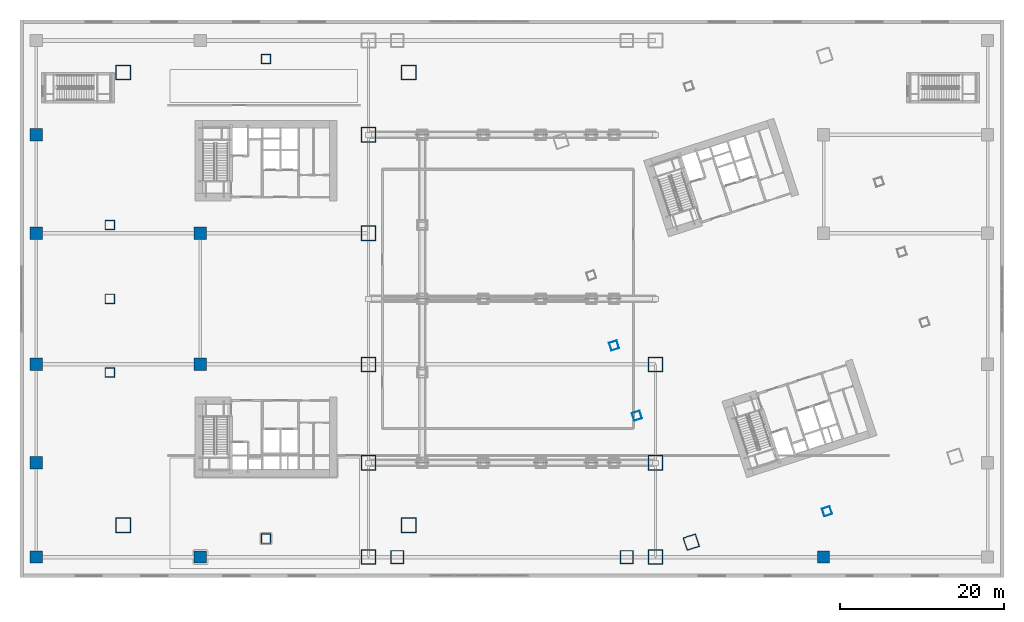
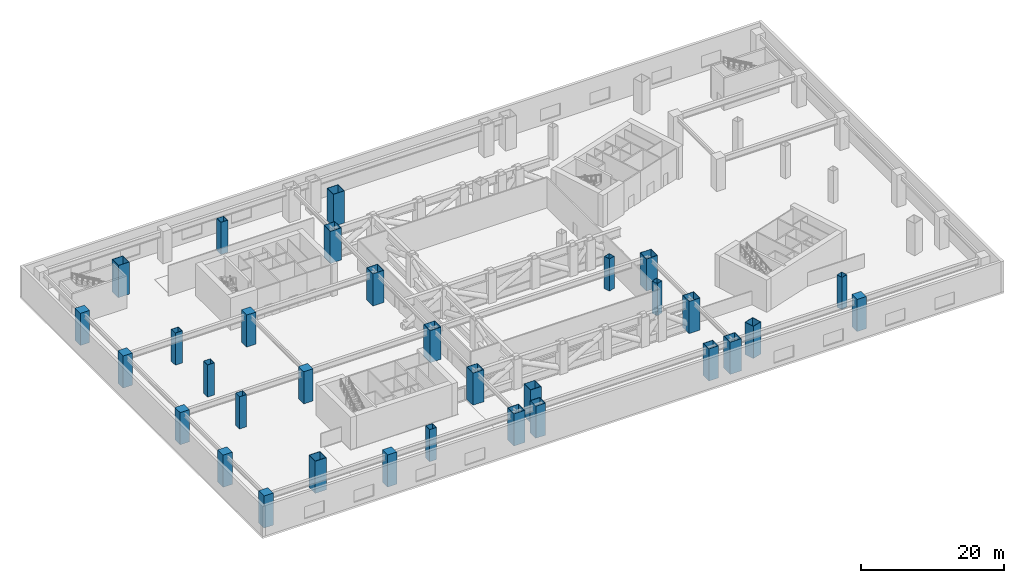
# One storey, part 1 of 34: 32 columns.
"""IFC4 building model written with IfcOpenShell, lengths in metres."""

from ifc_helpers import new_model, si_unit, direction, frame, origin, origin_2d, place, context, subcontext, project, spatial, rectangle, hollow_rectangle, extrude, material, material_profile, profile_set, type_object, element, save


model = new_model("IFC4")

# Units and contexts
model_context = context("Model", 3, precision=1e-05, world=origin(), true_north=direction((0.0, 1.0)))
body_context = subcontext(model_context, "Body", "Model", "MODEL_VIEW")
ifc_project = project(units=[si_unit("LENGTHUNIT", "METRE"), si_unit("AREAUNIT", "SQUARE_METRE"), si_unit("VOLUMEUNIT", "CUBIC_METRE"), si_unit("PLANEANGLEUNIT", "RADIAN"), si_unit("MASSUNIT", "GRAM", prefix="KILO")], contexts=[model_context])

# Site, building, storey
site_placement = place(None, origin())
site = spatial("IfcSite", under=ifc_project, at=site_placement, CompositionType="ELEMENT")
building_placement = place(site_placement, origin())
building = spatial("IfcBuilding", under=site, at=building_placement, Name="Qiaolan Cultural Towers", CompositionType="ELEMENT")
storey_placement = place(building_placement, frame((0.0, 0.0, 16.5)))
storey = spatial("IfcBuildingStorey", under=building, at=storey_placement, Name="L03", CompositionType="ELEMENT", Elevation=16.5)

# Columns
ifc_material_1 = material(Name="Steel Q355B", Category="steel")
ifc_material_profile_1 = material_profile(ifc_material_1, hollow_rectangle(XDim=1.0, YDim=1.0, WallThickness=0.035888671875, at=origin_2d()), Name="BOX1000x1000x36")
ifc_profile_set_1 = profile_set([ifc_material_profile_1], Name="Steel Q355B")
column_type_1 = type_object("IfcColumnType", Name="COL-BOX1000x1000x36", PredefinedType="COLUMN", material=ifc_profile_set_1)
for number, where, z_axis, x_axis, name in (
    (1, (75.234130859375, 19.739013671875, 0.0), (0.0, 0.0, 1.0), (0.951056516295, 0.309016994375, 0.0), "L03 T2 Column PC-W1"),
    (2, (72.453125, 28.298583984375, 0.0), (0.0, 0.0, 1.0), (0.951056516295, 0.309016994375, 0.0), "L03 T2 Column PC-W2"),
    (3, (98.420654296875, 8.083740234375, 0.0), (0.0, 0.0, 1.0), (0.951056516295, 0.309016994375, 0.0), "L03 T2 Column PC-S0"),
):
    element("IfcColumn", number, at=place(storey_placement, frame(where, z_axis=z_axis, x_axis=x_axis)), inside=storey, type_object=column_type_1, Name=name, PredefinedType="COLUMN", context=body_context, shape_type="SweptSolid", body=[
        extrude(hollow_rectangle(XDim=1.0, YDim=1.0, WallThickness=0.035888671875, at=origin_2d()), origin(), (0.0, 0.0, 1.0), 5.5009765625),
    ])
ifc_material_2 = material(Name="Steel Q390GJB", Category="steel")
ifc_material_profile_2 = material_profile(ifc_material_2, hollow_rectangle(XDim=1.14990234375, YDim=1.14990234375, WallThickness=0.0400390625, at=origin_2d()), Name="BOX1150x1150x40")
ifc_profile_set_2 = profile_set([ifc_material_profile_2], Name="Steel Q390GJB")
column_type_2 = type_object("IfcColumnType", Name="COL-BOX1150x1150x40", PredefinedType="COLUMN", material=ifc_profile_set_2)
for number, where, z_axis, x_axis, name in (
    (4, (10.949951171875, 25.0, 0.0), (0.0, 0.0, 1.0), (1.0, 0.0, 0.0), "L03 T1 Column PC-W1"),
    (5, (10.949951171875, 34.0, 0.0), (0.0, 0.0, 1.0), (1.0, 0.0, 0.0), "L03 T1 Column PC-W2"),
    (6, (10.949951171875, 43.0, 0.0), (0.0, 0.0, 1.0), (1.0, 0.0, 0.0), "L03 T1 Column PC-W3"),
    (7, (30.0, 4.75, 0.0), (0.0, 0.0, 1.0), (1.0, 0.0, 0.0), "L03 T1 Column PC-S0"),
    (8, (30.0, 63.25, 0.0), (0.0, 0.0, 1.0), (1.0, 0.0, 0.0), "L03 T1 Column PC-N0"),
):
    element("IfcColumn", number, at=place(storey_placement, frame(where, z_axis=z_axis, x_axis=x_axis)), inside=storey, type_object=column_type_2, Name=name, PredefinedType="COLUMN", context=body_context, shape_type="SweptSolid", body=[
        extrude(hollow_rectangle(XDim=1.14990234375, YDim=1.14990234375, WallThickness=0.0400390625, at=origin_2d()), origin(), (0.0, 0.0, 1.0), 5.5009765625),
    ])
ifc_material_3 = material(Name="Steel Q420GJB", Category="steel")
ifc_material_profile_3 = material_profile(ifc_material_3, hollow_rectangle(XDim=1.60009765625, YDim=1.60009765625, WallThickness=0.054931640625, at=origin_2d()), Name="BOX1600x1600x55")
ifc_profile_set_3 = profile_set([ifc_material_profile_3], Name="Steel Q420GJB")
column_type_3 = type_object("IfcColumnType", Name="COL-BOX1600x1600x55", PredefinedType="COLUMN", material=ifc_profile_set_3)
for number, where, z_axis, x_axis, name in (
    (9, (46.0, 2.5, 0.0), (0.0, 0.0, 1.0), (1.0, 0.0, 0.0), "L03 Podium Column PC-MID-46-2"),
    (10, (74.0, 2.5, 0.0), (0.0, 0.0, 1.0), (1.0, 0.0, 0.0), "L03 Podium Column PC-MID-74-2"),
    (11, (81.862548828125, 4.32275390625, 0.0), (0.0, 0.0, 1.0), (0.951056516295, 0.309016994375, 0.0), "L03 T2 Column MC-SW"),
):
    element("IfcColumn", number, at=place(storey_placement, frame(where, z_axis=z_axis, x_axis=x_axis)), inside=storey, type_object=column_type_3, Name=name, PredefinedType="COLUMN", context=body_context, shape_type="SweptSolid", body=[
        extrude(hollow_rectangle(XDim=1.60009765625, YDim=1.60009765625, WallThickness=0.054931640625, at=origin_2d()), origin(), (0.0, 0.0, 1.0), 5.5009765625),
    ])
ifc_material_4 = material(Name="Steel Q420GJB", Category="steel")
ifc_material_profile_4 = material_profile(ifc_material_4, hollow_rectangle(XDim=1.800048828125, YDim=1.800048828125, WallThickness=0.06005859375, at=origin_2d()), Name="BOX1800x1800x60")
ifc_profile_set_4 = profile_set([ifc_material_profile_4], Name="Steel Q420GJB")
column_type_4 = type_object("IfcColumnType", Name="COL-BOX1800x1800x60", PredefinedType="COLUMN", material=ifc_profile_set_4)
for number, where, z_axis, x_axis, name in (
    (12, (42.5, 2.5, 0.0), (0.0, 0.0, 1.0), (1.0, 0.0, 0.0), "L03 Podium Column PC-42-2"),
    (13, (42.5, 14.0, 0.0), (0.0, 0.0, 1.0), (1.0, 0.0, 0.0), "L03 Podium Column PC-42-14"),
    (14, (42.5, 26.0, 0.0), (0.0, 0.0, 1.0), (1.0, 0.0, 0.0), "L03 Podium Column PC-42-26"),
    (15, (42.5, 42.0, 0.0), (0.0, 0.0, 1.0), (1.0, 0.0, 0.0), "L03 Podium Column PC-42-42"),
    (16, (42.5, 54.0, 0.0), (0.0, 0.0, 1.0), (1.0, 0.0, 0.0), "L03 Podium Column PC-42-54"),
    (17, (77.5, 2.5, 0.0), (0.0, 0.0, 1.0), (1.0, 0.0, 0.0), "L03 Podium Column PC-77-2"),
    (18, (77.5, 14.0, 0.0), (0.0, 0.0, 1.0), (1.0, 0.0, 0.0), "L03 Podium Column PC-77-14"),
    (19, (77.5, 26.0, 0.0), (0.0, 0.0, 1.0), (1.0, 0.0, 0.0), "L03 Podium Column PC-77-26"),
    (20, (12.60009765625, 6.39990234375, 0.0), (0.0, 0.0, 1.0), (1.0, 0.0, 0.0), "L03 T1 Column MC-SW"),
    (21, (47.39990234375, 6.39990234375, 0.0), (0.0, 0.0, 1.0), (1.0, 0.0, 0.0), "L03 T1 Column MC-SE"),
    (22, (47.39990234375, 61.60009765625, 0.0), (0.0, 0.0, 1.0), (1.0, 0.0, 0.0), "L03 T1 Column MC-NE"),
    (23, (12.60009765625, 61.60009765625, 0.0), (0.0, 0.0, 1.0), (1.0, 0.0, 0.0), "L03 T1 Column MC-NW"),
):
    element("IfcColumn", number, at=place(storey_placement, frame(where, z_axis=z_axis, x_axis=x_axis)), inside=storey, type_object=column_type_4, Name=name, PredefinedType="COLUMN", context=body_context, shape_type="SweptSolid", body=[
        extrude(hollow_rectangle(XDim=1.800048828125, YDim=1.800048828125, WallThickness=0.06005859375, at=origin_2d()), origin(), (0.0, 0.0, 1.0), 5.5009765625),
    ])
ifc_material_5 = material(Name="Concrete C60", Category="concrete")
ifc_material_profile_5 = material_profile(ifc_material_5, rectangle(XDim=1.5, YDim=1.5, at=origin_2d()), Name="RC1500x1500")
ifc_profile_set_5 = profile_set([ifc_material_profile_5], Name="Concrete C60")
column_type_5 = type_object("IfcColumnType", Name="COL-RC1500x1500", PredefinedType="COLUMN", material=ifc_profile_set_5)
for number, where, z_axis, x_axis, name in (
    (24, (2.0, 2.5, 0.0), (0.0, 0.0, 1.0), (1.0, 0.0, 0.0), "L03 Podium Column PC-2-2"),
    (25, (2.0, 14.0, 0.0), (0.0, 0.0, 1.0), (1.0, 0.0, 0.0), "L03 Podium Column PC-2-14"),
    (26, (2.0, 26.0, 0.0), (0.0, 0.0, 1.0), (1.0, 0.0, 0.0), "L03 Podium Column PC-2-26"),
    (27, (2.0, 42.0, 0.0), (0.0, 0.0, 1.0), (1.0, 0.0, 0.0), "L03 Podium Column PC-2-42"),
    (28, (2.0, 54.0, 0.0), (0.0, 0.0, 1.0), (1.0, 0.0, 0.0), "L03 Podium Column PC-2-54"),
    (29, (22.0, 2.5, 0.0), (0.0, 0.0, 1.0), (1.0, 0.0, 0.0), "L03 Podium Column PC-22-2"),
    (30, (22.0, 26.0, 0.0), (0.0, 0.0, 1.0), (1.0, 0.0, 0.0), "L03 Podium Column PC-22-26"),
    (31, (22.0, 42.0, 0.0), (0.0, 0.0, 1.0), (1.0, 0.0, 0.0), "L03 Podium Column PC-22-42"),
    (32, (98.0, 2.5, 0.0), (0.0, 0.0, 1.0), (1.0, 0.0, 0.0), "L03 Podium Column PC-98-2"),
):
    element("IfcColumn", number, at=place(storey_placement, frame(where, z_axis=z_axis, x_axis=x_axis)), inside=storey, type_object=column_type_5, Name=name, PredefinedType="COLUMN", context=body_context, shape_type="SweptSolid", body=[
        extrude(rectangle(XDim=1.5, YDim=1.5, at=origin_2d()), origin(), (0.0, 0.0, 1.0), 5.5009765625),
    ])

save(model, "model.ifc")
